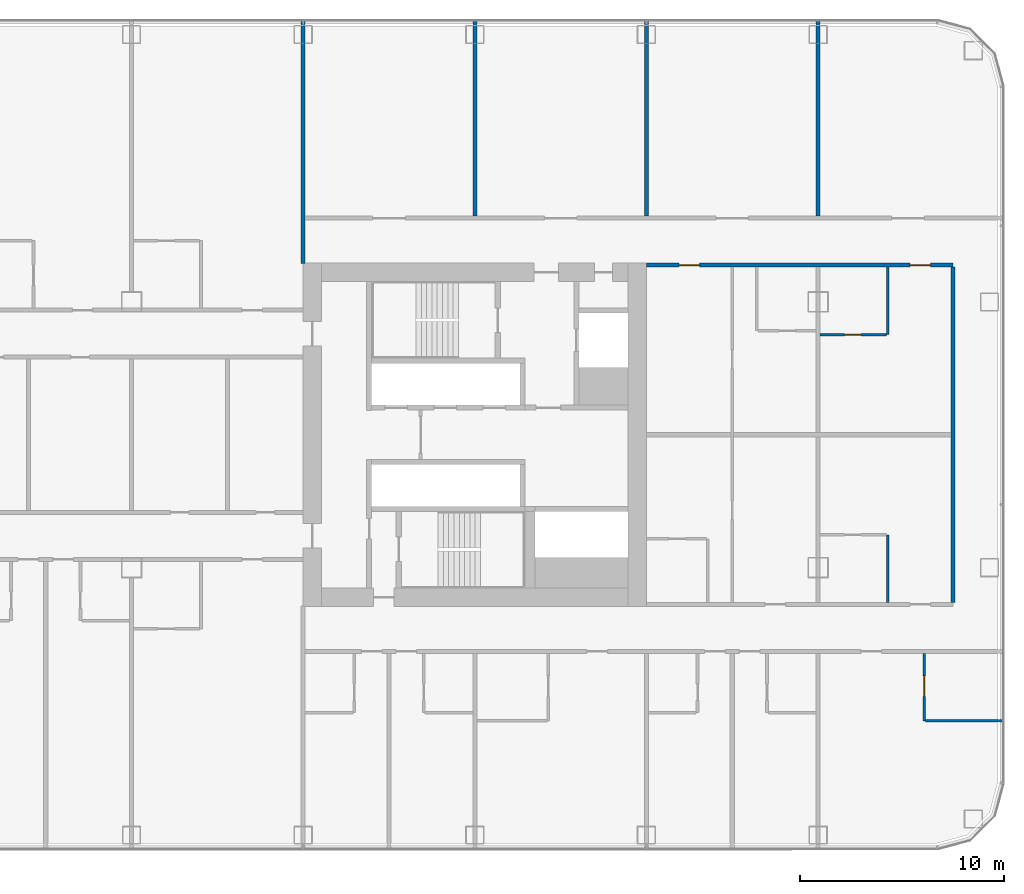
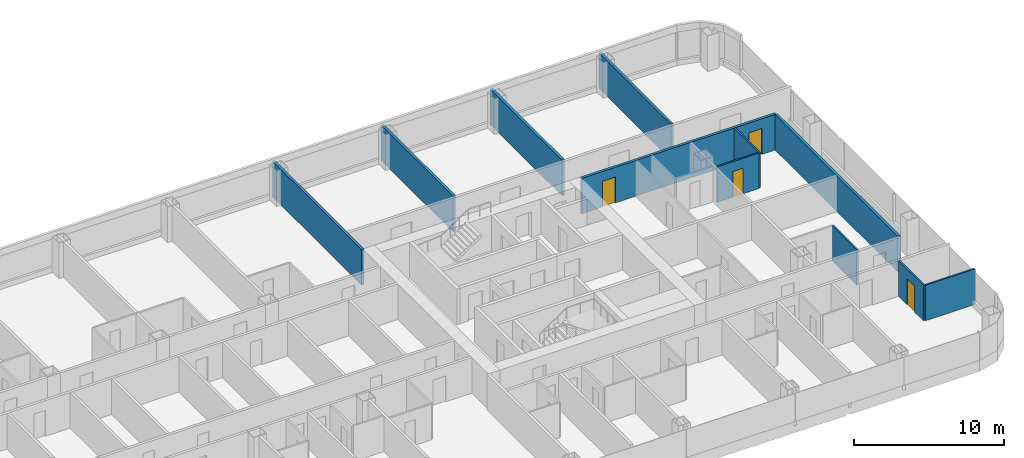
# One storey, part 20 of 29: 11 walls, 4 doors, 4 openings.
"""IFC4 building model written with IfcOpenShell, lengths in metres."""

from ifc_helpers import new_model, si_unit, direction, frame, frame_2d, origin, place, context, subcontext, project, spatial, rectangle, extrude, material, layer, layer_set, type_object, element, fill, save


model = new_model("IFC4")

# Units and contexts
model_context = context("Model", 3, precision=1e-05, world=origin(), true_north=direction((0.0, 1.0)))
body_context = subcontext(model_context, "Body", "Model", "MODEL_VIEW")
ifc_project = project(units=[si_unit("LENGTHUNIT", "METRE"), si_unit("AREAUNIT", "SQUARE_METRE"), si_unit("VOLUMEUNIT", "CUBIC_METRE"), si_unit("PLANEANGLEUNIT", "RADIAN"), si_unit("MASSUNIT", "GRAM", prefix="KILO")], contexts=[model_context])

# Site, building, storey
site_placement = place(None, origin())
site = spatial("IfcSite", under=ifc_project, at=site_placement, CompositionType="ELEMENT")
building_placement = place(site_placement, origin())
building = spatial("IfcBuilding", under=site, at=building_placement, Name="Hakoniwa Tower and Hamabe Station Hall", CompositionType="ELEMENT")
storey_placement = place(building_placement, frame((0.0, 0.0, 61.39990234375)))
storey = spatial("IfcBuildingStorey", under=building, at=storey_placement, Name="L17", CompositionType="ELEMENT", Elevation=61.39990234375)

# Wall
ifc_material_1 = material(Name="Gypsum board partition", Category="gypsum")
ifc_layer_1 = layer(ifc_material_1, 0.125)
ifc_layer_set_1 = layer_set([ifc_layer_1], Name="Bathroom Partition 125")
wall_type_1 = type_object("IfcWallType", Name="Bathroom Partition 125", PredefinedType="PARTITIONING", material=ifc_layer_set_1)
wall_1_placement = place(storey_placement, frame((47.262451171875, -14.0, 0.0), z_axis=(0.0, 0.0, 1.0), x_axis=(1.0, 0.0, 0.0)))
element("IfcWall", 1, at=wall_1_placement, inside=storey, type_object=wall_type_1, Name="GW-L17-004", PredefinedType="PARTITIONING", context=body_context, shape_type="SweptSolid", body=[
    extrude(rectangle(XDim=3.837646484375, YDim=0.125, at=frame_2d((1.9189453125, 0.0))), origin(), (0.0, 0.0, 1.0), 2.900146484375),
])

# Wall, opening, door
wall_2_placement = place(storey_placement, frame((42.10009765625, 4.89990234375, 0.0), z_axis=(0.0, 0.0, 1.0), x_axis=(1.0, 0.0, 0.0)))
wall_2 = element("IfcWall", 2, at=wall_2_placement, inside=storey, type_object=wall_type_1, Name="GW-L17-032", PredefinedType="PARTITIONING", context=body_context, shape_type="SweptSolid", body=[
    extrude(rectangle(XDim=3.2373046875, YDim=0.125, at=frame_2d((1.61865234375, 0.0))), origin(), (0.0, 0.0, 1.0), 2.900146484375),
])
opening_1_placement = place(wall_2_placement, frame((1.199951171875, 0.0, 0.0)))
opening_1 = element("IfcOpeningElement", 3, at=opening_1_placement, cuts=wall_2, Name="Opening GD-G1D2-39", PredefinedType="OPENING", context=body_context, shape_type="SweptSolid", body=[
    extrude(rectangle(XDim=0.800048828125, YDim=2.10009765625, at=frame_2d((0.39990234375, 1.050048828125))), frame((0.0, 0.072509765625, 0.0), z_axis=(0.0, -1.0, 0.0), x_axis=(1.0, 0.0, 0.0)), (0.0, 0.0, 1.0), 0.14501953125),
])
ifc_material_2 = material(Name="Timber door leaf", Category="wood")
door_type_1 = type_object("IfcDoorType", Name="Bathroom Door 800", OperationType="SINGLE_SWING_LEFT", PredefinedType="DOOR", material=ifc_material_2)
door_1_placement = place(opening_1_placement, origin())
door_1 = element("IfcDoor", 4, at=door_1_placement, inside=storey, type_object=door_type_1, Name="Door GD-G1D2-39", OperationType="SINGLE_SWING_RIGHT", OverallHeight=2.10009765625, OverallWidth=0.800048828125, PredefinedType="DOOR", context=body_context, shape_type="SweptSolid", body=[
    extrude(rectangle(XDim=0.800048828125, YDim=2.10009765625, at=frame_2d((0.39990234375, 1.050048828125))), frame((0.0, 0.02490234375, 0.0), z_axis=(0.0, -1.0, 0.0), x_axis=(1.0, 0.0, 0.0)), (0.0, 0.0, 1.0), 0.050048828125),
])
fill(opening_1, door_1)

# Walls
for number, where, z_axis, x_axis, name in (
    (5, (45.39990234375, -8.199951171875, 0.0), (0.0, 0.0, 1.0), (0.0, 1.0, 0.0), "GW-L17-115"),
    (6, (45.39990234375, 4.89990234375, 0.0), (0.0, 0.0, 1.0), (0.0, 1.0, 0.0), "GW-L17-116"),
):
    element("IfcWall", number, at=place(storey_placement, frame(where, z_axis=z_axis, x_axis=x_axis)), inside=storey, type_object=wall_type_1, Name=name, PredefinedType="PARTITIONING", context=body_context, shape_type="SweptSolid", body=[
        extrude(rectangle(XDim=3.300048828125, YDim=0.125, at=frame_2d((1.64990234375, 0.0))), origin(), (0.0, 0.0, 1.0), 2.900146484375),
    ])

# Wall, opening, door
wall_3_placement = place(storey_placement, frame((47.199951171875, -14.0, 0.0), z_axis=(0.0, 0.0, 1.0), x_axis=(0.0, 1.0, 0.0)))
wall_3 = element("IfcWall", 7, at=wall_3_placement, inside=storey, type_object=wall_type_1, Name="GW-L17-117", PredefinedType="PARTITIONING", context=body_context, shape_type="SweptSolid", body=[
    extrude(rectangle(XDim=3.300048828125, YDim=0.125, at=frame_2d((1.64990234375, 0.0))), origin(), (0.0, 0.0, 1.0), 2.900146484375),
])
opening_2_placement = place(wall_3_placement, frame((1.199951171875, 0.0, 0.0)))
opening_2 = element("IfcOpeningElement", 8, at=opening_2_placement, cuts=wall_3, Name="Opening GD-G1D2-83", PredefinedType="OPENING", context=body_context, shape_type="SweptSolid", body=[
    extrude(rectangle(XDim=1.0, YDim=2.10009765625, at=frame_2d((0.5, 1.050048828125))), frame((0.0, 0.072509765625, 0.0), z_axis=(0.0, -1.0, 0.0), x_axis=(1.0, 0.0, 0.0)), (0.0, 0.0, 1.0), 0.14501953125),
])
ifc_material_3 = material(Name="Timber door leaf", Category="wood")
door_type_2 = type_object("IfcDoorType", Name="Accessible Bathroom Door 1000", OperationType="SINGLE_SWING_LEFT", PredefinedType="DOOR", material=ifc_material_3)
door_2_placement = place(opening_2_placement, origin())
door_2 = element("IfcDoor", 9, at=door_2_placement, inside=storey, type_object=door_type_2, Name="Door GD-G1D2-83", OperationType="SINGLE_SWING_RIGHT", OverallHeight=2.10009765625, OverallWidth=1.0, PredefinedType="DOOR", context=body_context, shape_type="SweptSolid", body=[
    extrude(rectangle(XDim=1.0, YDim=2.10009765625, at=frame_2d((0.5, 1.050048828125))), frame((0.0, 0.02490234375, 0.0), z_axis=(0.0, -1.0, 0.0), x_axis=(1.0, 0.0, 0.0)), (0.0, 0.0, 1.0), 0.050048828125),
])
fill(opening_2, door_2)

# Wall, openings, doors
ifc_material_4 = material(Name="Fire-rated gypsum board partition", Category="gypsum")
ifc_layer_2 = layer(ifc_material_4, 0.199951171875)
ifc_layer_set_2 = layer_set([ifc_layer_2], Name="Corridor Wall 200")
wall_type_2 = type_object("IfcWallType", Name="Corridor Wall 200", PredefinedType="PARTITIONING", material=ifc_layer_set_2)
wall_4_placement = place(storey_placement, frame((33.60009765625, 8.300048828125, 0.0), z_axis=(0.0, 0.0, 1.0), x_axis=(1.0, 0.0, 0.0)))
wall_4 = element("IfcWall", 10, at=wall_4_placement, inside=storey, type_object=wall_type_2, Name="GW-L17-037", PredefinedType="PARTITIONING", context=body_context, shape_type="SweptSolid", body=[
    extrude(rectangle(XDim=15.0, YDim=0.199951171875, at=frame_2d((7.5, 0.0))), origin(), (0.0, 0.0, 1.0), 2.900146484375),
])
opening_3_placement = place(wall_4_placement, frame((1.60009765625, 0.0, 0.0)))
opening_3 = element("IfcOpeningElement", 11, at=opening_3_placement, cuts=wall_4, Name="Opening GD-G1D2-49", PredefinedType="OPENING", context=body_context, shape_type="SweptSolid", body=[
    extrude(rectangle(XDim=1.0, YDim=2.10009765625, at=frame_2d((0.5, 1.050048828125))), frame((0.0, 0.10986328125, 0.0), z_axis=(0.0, -1.0, 0.0), x_axis=(1.0, 0.0, 0.0)), (0.0, 0.0, 1.0), 0.219970703125),
])
opening_4_placement = place(wall_4_placement, frame((12.89990234375, 0.0, 0.0)))
opening_4 = element("IfcOpeningElement", 12, at=opening_4_placement, cuts=wall_4, Name="Opening GD-G1D2-50", PredefinedType="OPENING", context=body_context, shape_type="SweptSolid", body=[
    extrude(rectangle(XDim=1.0, YDim=2.10009765625, at=frame_2d((0.5, 1.050048828125))), frame((0.0, 0.10986328125, 0.0), z_axis=(0.0, -1.0, 0.0), x_axis=(1.0, 0.0, 0.0)), (0.0, 0.0, 1.0), 0.219970703125),
])
ifc_material_5 = material(Name="Timber door leaf", Category="wood")
door_type_3 = type_object("IfcDoorType", Name="Guest Entrance Door 1000", OperationType="SINGLE_SWING_LEFT", PredefinedType="DOOR", material=ifc_material_5)
door_3_placement = place(opening_3_placement, origin())
door_3 = element("IfcDoor", 13, at=door_3_placement, inside=storey, type_object=door_type_3, Name="Door GD-G1D2-49", OperationType="SINGLE_SWING_LEFT", OverallHeight=2.10009765625, OverallWidth=1.0, PredefinedType="DOOR", context=body_context, shape_type="SweptSolid", body=[
    extrude(rectangle(XDim=1.0, YDim=2.10009765625, at=frame_2d((0.5, 1.050048828125))), frame((0.0, 0.02490234375, 0.0), z_axis=(0.0, -1.0, 0.0), x_axis=(1.0, 0.0, 0.0)), (0.0, 0.0, 1.0), 0.050048828125),
])
fill(opening_3, door_3)
door_4_placement = place(opening_4_placement, origin())
door_4 = element("IfcDoor", 14, at=door_4_placement, inside=storey, type_object=door_type_3, Name="Door GD-G1D2-50", OperationType="SINGLE_SWING_RIGHT", OverallHeight=2.10009765625, OverallWidth=1.0, PredefinedType="DOOR", context=body_context, shape_type="SweptSolid", body=[
    extrude(rectangle(XDim=1.0, YDim=2.10009765625, at=frame_2d((0.5, 1.050048828125))), frame((0.0, 0.02490234375, 0.0), z_axis=(0.0, -1.0, 0.0), x_axis=(1.0, 0.0, 0.0)), (0.0, 0.0, 1.0), 0.050048828125),
])
fill(opening_4, door_4)

# Walls
ifc_material_6 = material(Name="Fire-rated gypsum board partition", Category="gypsum")
ifc_layer_3 = layer(ifc_material_6, 0.199951171875)
ifc_layer_set_3 = layer_set([ifc_layer_3], Name="Party Wall 200")
wall_type_3 = type_object("IfcWallType", Name="Party Wall 200", PredefinedType="PARTITIONING", material=ifc_layer_set_3)
wall_5_placement = place(storey_placement, frame((16.800048828125, 8.389892578125, 0.0), z_axis=(0.0, 0.0, 1.0), x_axis=(0.0, 1.0, 0.0)))
element("IfcWall", 15, at=wall_5_placement, inside=storey, type_object=wall_type_3, Name="GW-L17-097", PredefinedType="PARTITIONING", context=body_context, shape_type="SweptSolid", body=[
    extrude(rectangle(XDim=11.91015625, YDim=0.199951171875, at=frame_2d((5.955078125, 0.0))), origin(), (0.0, 0.0, 1.0), 2.900146484375),
])
for number, where, z_axis, x_axis, name in (
    (16, (25.199951171875, 10.699951171875, 0.0), (0.0, 0.0, 1.0), (0.0, 1.0, 0.0), "GW-L17-102"),
    (17, (33.60009765625, 10.699951171875, 0.0), (0.0, 0.0, 1.0), (0.0, 1.0, 0.0), "GW-L17-105"),
    (18, (42.0, 10.699951171875, 0.0), (0.0, 0.0, 1.0), (0.0, 1.0, 0.0), "GW-L17-114"),
):
    element("IfcWall", number, at=place(storey_placement, frame(where, z_axis=z_axis, x_axis=x_axis)), inside=storey, type_object=wall_type_3, Name=name, PredefinedType="PARTITIONING", context=body_context, shape_type="SweptSolid", body=[
        extrude(rectangle(XDim=9.60009765625, YDim=0.199951171875, at=frame_2d((4.800048828125, 0.0))), origin(), (0.0, 0.0, 1.0), 2.900146484375),
    ])
wall_6_placement = place(storey_placement, frame((48.60009765625, -8.199951171875, 0.0), z_axis=(0.0, 0.0, 1.0), x_axis=(0.0, 1.0, 0.0)))
element("IfcWall", 19, at=wall_6_placement, inside=storey, type_object=wall_type_3, Name="GW-L17-118", PredefinedType="PARTITIONING", context=body_context, shape_type="SweptSolid", body=[
    extrude(rectangle(XDim=16.39990234375, YDim=0.199951171875, at=frame_2d((8.199951171875, 0.0))), origin(), (0.0, 0.0, 1.0), 2.900146484375),
])

save(model, "model.ifc")
